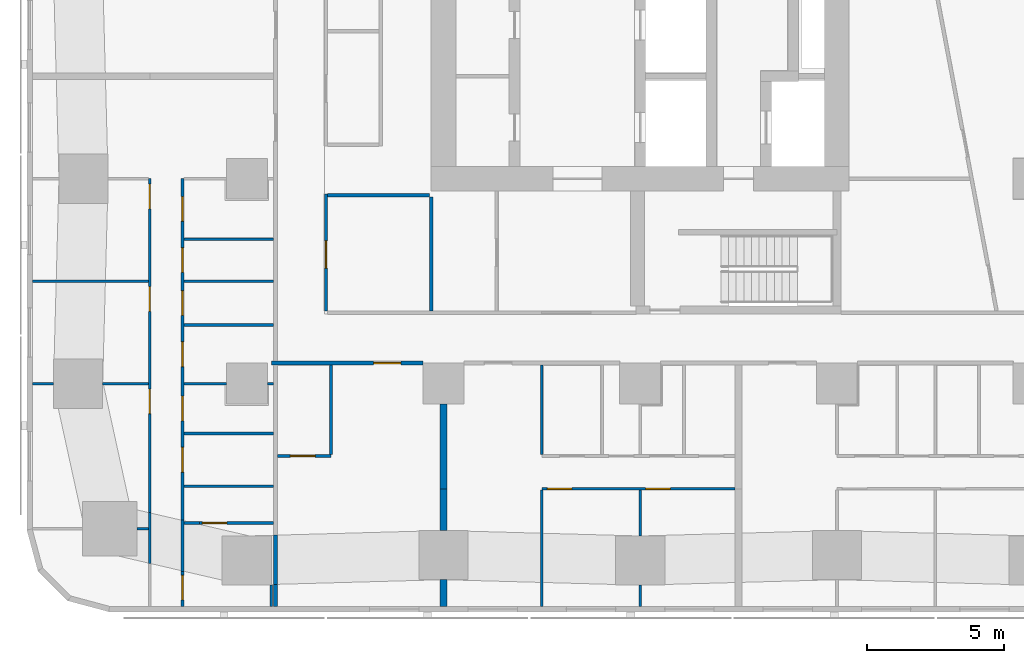
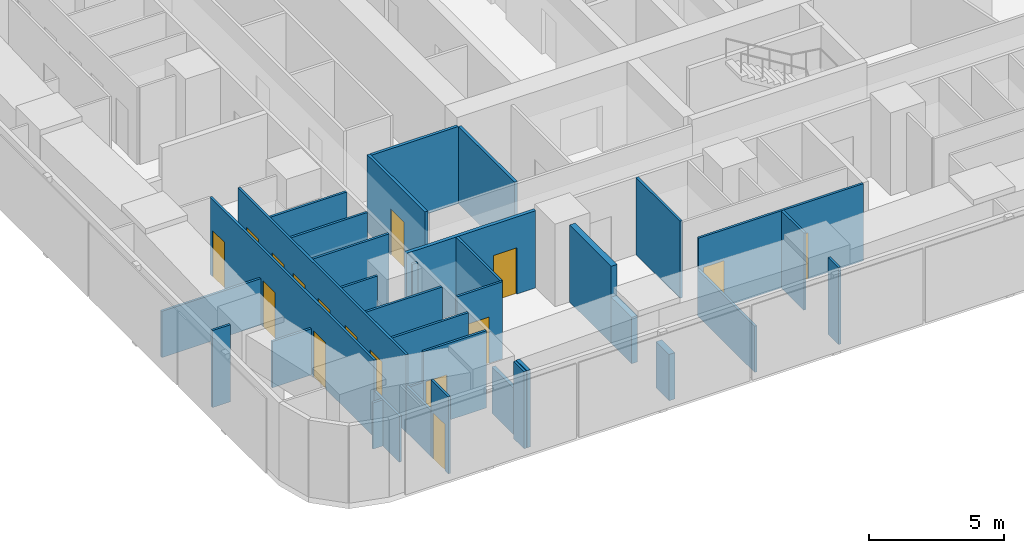
# One storey, part 2 of 15: 35 walls, 16 doors, 16 openings.
"""IFC4 building model written with IfcOpenShell, lengths in metres."""

from ifc_helpers import new_model, si_unit, direction, frame, frame_2d, origin, place, context, subcontext, project, spatial, rectangle, extrude, material, layer, layer_set, type_object, element, fill, save


model = new_model("IFC4")

# Units and contexts
model_context = context("Model", 3, precision=1e-05, world=origin(), true_north=direction((0.0, 1.0)))
body_context = subcontext(model_context, "Body", "Model", "MODEL_VIEW")
ifc_project = project(units=[si_unit("LENGTHUNIT", "METRE"), si_unit("AREAUNIT", "SQUARE_METRE"), si_unit("VOLUMEUNIT", "CUBIC_METRE"), si_unit("PLANEANGLEUNIT", "RADIAN"), si_unit("MASSUNIT", "GRAM", prefix="KILO")], contexts=[model_context])

# Site, building, storey
site_placement = place(None, origin())
site = spatial("IfcSite", under=ifc_project, at=site_placement, CompositionType="ELEMENT")
building_placement = place(site_placement, origin())
building = spatial("IfcBuilding", under=site, at=building_placement, Name="Sheger Commons Tower", CompositionType="ELEMENT")
storey_placement = place(building_placement, frame((0.0, 0.0, 150.800048828125)))
storey = spatial("IfcBuildingStorey", under=building, at=storey_placement, Name="L38", CompositionType="ELEMENT", Elevation=150.800048828125)

# Walls
ifc_material_1 = material(Name="Hollow concrete block masonry, skimmed both sides", Category="masonry")
ifc_layer_1 = layer(ifc_material_1, 0.14990234375)
ifc_layer_set_1 = layer_set([ifc_layer_1], Name="CORRIDOR WALL 150")
wall_type_1 = type_object("IfcWallType", Name="CORRIDOR WALL 150", PredefinedType="SOLIDWALL", material=ifc_layer_set_1)
wall_1_placement = place(storey_placement, frame((8.25, -0.64990234375, 0.0), z_axis=(0.0, 0.0, 1.0), x_axis=(0.0, 1.0, 0.0)))
element("IfcWall", 1, at=wall_1_placement, inside=storey, type_object=wall_type_1, Name="Corridor wall L38", PredefinedType="SOLIDWALL", context=body_context, shape_type="SweptSolid", body=[
    extrude(rectangle(XDim=0.802001953125, YDim=0.14990234375, at=frame_2d((0.40087890625, 0.0))), origin(), (0.0, 0.0, 1.0), 3.5),
])
wall_2_placement = place(storey_placement, frame((8.25, 0.152099609375, 0.0), z_axis=(0.0, 0.0, 1.0), x_axis=(0.0, 1.0, 0.0)))
element("IfcWall", 2, at=wall_2_placement, inside=storey, type_object=wall_type_1, Name="Corridor wall L38", PredefinedType="SOLIDWALL", context=body_context, shape_type="SweptSolid", body=[
    extrude(rectangle(XDim=1.804931640625, YDim=0.14990234375, at=frame_2d((0.90234375, 0.0))), origin(), (0.0, 0.0, 1.0), 2.099853515625),
])

# Wall, opening, door
wall_3_placement = place(storey_placement, frame((13.64892578125, 8.25, 0.0), z_axis=(0.0, 0.0, 1.0), x_axis=(-1.0, 0.0, 0.0)))
wall_3 = element("IfcWall", 3, at=wall_3_placement, inside=storey, type_object=wall_type_1, Name="Corridor wall L38", PredefinedType="SOLIDWALL", context=body_context, shape_type="SweptSolid", body=[
    extrude(rectangle(XDim=5.548828125, YDim=0.14990234375, at=frame_2d((2.7744140625, 0.0))), origin(), (0.0, 0.0, 1.0), 3.5),
])
opening_1_placement = place(wall_3_placement, frame((0.81005859375, 0.0, 0.0)))
opening_1 = element("IfcOpeningElement", 4, at=opening_1_placement, cuts=wall_3, Name="Opening D1", PredefinedType="OPENING", context=body_context, shape_type="SweptSolid", body=[
    extrude(rectangle(XDim=1.0, YDim=2.10009765625, at=frame_2d((0.5, 1.050048828125))), frame((0.0, 0.0849609375, 0.0), z_axis=(0.0, -1.0, 0.0), x_axis=(1.0, 0.0, 0.0)), (0.0, 0.0, 1.0), 0.169921875),
])
ifc_material_2 = material(Name="Steel door set, fire rated", Category="steel")
door_type_1 = type_object("IfcDoorType", Name="FLAT ENTRANCE DOOR 1000x2100", OperationType="NOTDEFINED", PredefinedType="DOOR", material=ifc_material_2)
door_1_placement = place(opening_1_placement, origin())
door_1 = element("IfcDoor", 5, at=door_1_placement, inside=storey, type_object=door_type_1, Name="Flat entrance door", OperationType="SINGLE_SWING_LEFT", OverallHeight=2.10009765625, OverallWidth=1.0, PredefinedType="DOOR", context=body_context, shape_type="SweptSolid", body=[
    extrude(rectangle(XDim=1.0, YDim=2.10009765625, at=frame_2d((0.5, 1.050048828125))), frame((0.0, 0.02490234375, 0.0), z_axis=(0.0, -1.0, 0.0), x_axis=(1.0, 0.0, 0.0)), (0.0, 0.0, 1.0), 0.050048828125),
])
fill(opening_1, door_1)

# Walls
ifc_material_3 = material(Name="Dense concrete block masonry, plastered both sides (separating wall between flats)", Category="masonry")
ifc_layer_2 = layer(ifc_material_3, 0.25)
ifc_layer_set_2 = layer_set([ifc_layer_2], Name="DEMISING WALL 250")
wall_type_2 = type_object("IfcWallType", Name="DEMISING WALL 250", PredefinedType="SOLIDWALL", material=ifc_layer_set_2)
wall_4_placement = place(storey_placement, frame((14.39990234375, -0.64990234375, 0.0), z_axis=(0.0, 0.0, 1.0), x_axis=(0.0, 1.0, 0.0)))
element("IfcWall", 6, at=wall_4_placement, inside=storey, type_object=wall_type_2, Name="Demising wall L38", PredefinedType="SOLIDWALL", context=body_context, shape_type="SweptSolid", body=[
    extrude(rectangle(XDim=0.973876953125, YDim=0.25, at=frame_2d((0.48681640625, 0.0))), origin(), (0.0, 0.0, 1.0), 2.099853515625),
])
wall_5_placement = place(storey_placement, frame((14.39990234375, 2.1259765625, 0.0), z_axis=(0.0, 0.0, 1.0), x_axis=(0.0, 1.0, 0.0)))
element("IfcWall", 7, at=wall_5_placement, inside=storey, type_object=wall_type_2, Name="Demising wall L38", PredefinedType="SOLIDWALL", context=body_context, shape_type="SweptSolid", body=[
    extrude(rectangle(XDim=1.52392578125, YDim=0.25, at=frame_2d((0.761962890625, 0.0))), origin(), (0.0, 0.0, 1.0), 2.099853515625),
])
wall_6_placement = place(storey_placement, frame((14.39990234375, 3.64990234375, 0.0), z_axis=(0.0, 0.0, 1.0), x_axis=(0.0, 1.0, 0.0)))
element("IfcWall", 8, at=wall_6_placement, inside=storey, type_object=wall_type_2, Name="Demising wall L38", PredefinedType="SOLIDWALL", context=body_context, shape_type="SweptSolid", body=[
    extrude(rectangle(XDim=3.09912109375, YDim=0.25, at=frame_2d((1.549560546875, 0.0))), origin(), (0.0, 0.0, 1.0), 3.5),
])
ifc_material_4 = material(Name="Gypsum board on steel studs", Category="steel")
ifc_layer_3 = layer(ifc_material_4, 0.10009765625)
ifc_layer_set_3 = layer_set([ifc_layer_3], Name="PARTITION 100")
wall_type_3 = type_object("IfcWallType", Name="PARTITION 100", PredefinedType="PARTITIONING", material=ifc_layer_set_3)
wall_7_placement = place(storey_placement, frame((8.10009765625, 0.1240234375, 0.0), z_axis=(0.0, 0.0, 1.0), x_axis=(0.0, -1.0, 0.0)))
element("IfcWall", 9, at=wall_7_placement, inside=storey, type_object=wall_type_3, Name="Partition L38", PredefinedType="PARTITIONING", context=body_context, shape_type="SweptSolid", body=[
    extrude(rectangle(XDim=0.77392578125, YDim=0.10009765625, at=frame_2d((0.386962890625, 0.0))), origin(), (0.0, 0.0, 1.0), 3.5),
])
wall_8_placement = place(storey_placement, frame((3.64990234375, 0.912109375, 0.0), z_axis=(0.0, 0.0, 1.0), x_axis=(0.0, 1.0, 0.0)))
element("IfcWall", 10, at=wall_8_placement, inside=storey, type_object=wall_type_3, Name="Partition L38", PredefinedType="PARTITIONING", context=body_context, shape_type="SweptSolid", body=[
    extrude(rectangle(XDim=1.869873046875, YDim=0.10009765625, at=frame_2d((0.93505859375, 0.0))), origin(), (0.0, 0.0, 1.0), 2.099853515625),
])

# Wall, openings, doors
wall_9_placement = place(storey_placement, frame((3.64990234375, 2.781982421875, 0.0), z_axis=(0.0, 0.0, 1.0), x_axis=(0.0, 1.0, 0.0)))
wall_9 = element("IfcWall", 11, at=wall_9_placement, inside=storey, type_object=wall_type_3, Name="Partition L38", PredefinedType="PARTITIONING", context=body_context, shape_type="SweptSolid", body=[
    extrude(rectangle(XDim=12.218017578125, YDim=0.10009765625, at=frame_2d((6.10888671875, 0.0))), origin(), (0.0, 0.0, 1.0), 3.5),
])
opening_2_placement = place(wall_9_placement, frame((11.117919921875, 0.0, 0.0)))
opening_2 = element("IfcOpeningElement", 12, at=opening_2_placement, cuts=wall_9, Name="Opening D2", PredefinedType="OPENING", context=body_context, shape_type="SweptSolid", body=[
    extrude(rectangle(XDim=0.89990234375, YDim=2.10009765625, at=frame_2d((0.449951171875, 1.050048828125))), frame((0.0, 0.06005859375, 0.0), z_axis=(0.0, -1.0, 0.0), x_axis=(1.0, 0.0, 0.0)), (0.0, 0.0, 1.0), 0.1201171875),
])
opening_3_placement = place(wall_9_placement, frame((7.367919921875, 0.0, 0.0)))
opening_3 = element("IfcOpeningElement", 13, at=opening_3_placement, cuts=wall_9, Name="Opening D2", PredefinedType="OPENING", context=body_context, shape_type="SweptSolid", body=[
    extrude(rectangle(XDim=0.89990234375, YDim=2.10009765625, at=frame_2d((0.449951171875, 1.050048828125))), frame((0.0, 0.06005859375, 0.0), z_axis=(0.0, -1.0, 0.0), x_axis=(1.0, 0.0, 0.0)), (0.0, 0.0, 1.0), 0.1201171875),
])
opening_4_placement = place(wall_9_placement, frame((3.617919921875, 0.0, 0.0)))
opening_4 = element("IfcOpeningElement", 14, at=opening_4_placement, cuts=wall_9, Name="Opening D2", PredefinedType="OPENING", context=body_context, shape_type="SweptSolid", body=[
    extrude(rectangle(XDim=0.89990234375, YDim=2.10009765625, at=frame_2d((0.449951171875, 1.050048828125))), frame((0.0, 0.06005859375, 0.0), z_axis=(0.0, -1.0, 0.0), x_axis=(1.0, 0.0, 0.0)), (0.0, 0.0, 1.0), 0.1201171875),
])
ifc_material_5 = material(Name="Timber door set", Category="wood")
door_type_2 = type_object("IfcDoorType", Name="INTERNAL DOOR 900x2100", OperationType="NOTDEFINED", PredefinedType="DOOR", material=ifc_material_5)
door_2_placement = place(opening_2_placement, origin())
door_2 = element("IfcDoor", 15, at=door_2_placement, inside=storey, type_object=door_type_2, Name="Main bedroom door", OperationType="SINGLE_SWING_RIGHT", OverallHeight=2.10009765625, OverallWidth=0.89990234375, PredefinedType="DOOR", context=body_context, shape_type="SweptSolid", body=[
    extrude(rectangle(XDim=0.89990234375, YDim=2.10009765625, at=frame_2d((0.449951171875, 1.050048828125))), frame((0.0, 0.02490234375, 0.0), z_axis=(0.0, -1.0, 0.0), x_axis=(1.0, 0.0, 0.0)), (0.0, 0.0, 1.0), 0.050048828125),
])
fill(opening_2, door_2)
door_3_placement = place(opening_3_placement, origin())
door_3 = element("IfcDoor", 16, at=door_3_placement, inside=storey, type_object=door_type_2, Name="Bedroom 2 door", OperationType="SINGLE_SWING_RIGHT", OverallHeight=2.10009765625, OverallWidth=0.89990234375, PredefinedType="DOOR", context=body_context, shape_type="SweptSolid", body=[
    extrude(rectangle(XDim=0.89990234375, YDim=2.10009765625, at=frame_2d((0.449951171875, 1.050048828125))), frame((0.0, 0.02490234375, 0.0), z_axis=(0.0, -1.0, 0.0), x_axis=(1.0, 0.0, 0.0)), (0.0, 0.0, 1.0), 0.050048828125),
])
fill(opening_3, door_3)
door_4_placement = place(opening_4_placement, origin())
door_4 = element("IfcDoor", 17, at=door_4_placement, inside=storey, type_object=door_type_2, Name="Bedroom 3 door", OperationType="SINGLE_SWING_RIGHT", OverallHeight=2.10009765625, OverallWidth=0.89990234375, PredefinedType="DOOR", context=body_context, shape_type="SweptSolid", body=[
    extrude(rectangle(XDim=0.89990234375, YDim=2.10009765625, at=frame_2d((0.449951171875, 1.050048828125))), frame((0.0, 0.02490234375, 0.0), z_axis=(0.0, -1.0, 0.0), x_axis=(1.0, 0.0, 0.0)), (0.0, 0.0, 1.0), 0.050048828125),
])
fill(opening_4, door_4)

# Wall, opening, door
wall_10_placement = place(storey_placement, frame((4.85009765625, -0.64990234375, 0.0), z_axis=(0.0, 0.0, 1.0), x_axis=(0.0, 1.0, 0.0)))
wall_10 = element("IfcWall", 18, at=wall_10_placement, inside=storey, type_object=wall_type_3, Name="Partition L38", PredefinedType="PARTITIONING", context=body_context, shape_type="SweptSolid", body=[
    extrude(rectangle(XDim=1.283935546875, YDim=0.10009765625, at=frame_2d((0.64208984375, 0.0))), origin(), (0.0, 0.0, 1.0), 3.5),
])
opening_5_placement = place(wall_10_placement, frame((0.23388671875, 0.0, 0.0)))
opening_5 = element("IfcOpeningElement", 19, at=opening_5_placement, cuts=wall_10, Name="Opening D2", PredefinedType="OPENING", context=body_context, shape_type="SweptSolid", body=[
    extrude(rectangle(XDim=0.89990234375, YDim=2.10009765625, at=frame_2d((0.449951171875, 1.050048828125))), frame((0.0, 0.06005859375, 0.0), z_axis=(0.0, -1.0, 0.0), x_axis=(1.0, 0.0, 0.0)), (0.0, 0.0, 1.0), 0.1201171875),
])
door_5_placement = place(opening_5_placement, origin())
door_5 = element("IfcDoor", 20, at=door_5_placement, inside=storey, type_object=door_type_2, Name="Store and laundry door", OperationType="SINGLE_SWING_LEFT", OverallHeight=2.10009765625, OverallWidth=0.89990234375, PredefinedType="DOOR", context=body_context, shape_type="SweptSolid", body=[
    extrude(rectangle(XDim=0.89990234375, YDim=2.10009765625, at=frame_2d((0.449951171875, 1.050048828125))), frame((0.0, 0.02490234375, 0.0), z_axis=(0.0, -1.0, 0.0), x_axis=(1.0, 0.0, 0.0)), (0.0, 0.0, 1.0), 0.050048828125),
])
fill(opening_5, door_5)

# Wall
wall_11_placement = place(storey_placement, frame((4.85009765625, 0.634033203125, 0.0), z_axis=(0.0, 0.0, 1.0), x_axis=(0.0, 1.0, 0.0)))
element("IfcWall", 21, at=wall_11_placement, inside=storey, type_object=wall_type_3, Name="Partition L38", PredefinedType="PARTITIONING", context=body_context, shape_type="SweptSolid", body=[
    extrude(rectangle(XDim=1.870849609375, YDim=0.10009765625, at=frame_2d((0.935546875, 0.0))), origin(), (0.0, 0.0, 1.0), 2.099853515625),
])

# Wall, openings, doors
wall_12_placement = place(storey_placement, frame((4.85009765625, 2.5048828125, 0.0), z_axis=(0.0, 0.0, 1.0), x_axis=(0.0, 1.0, 0.0)))
wall_12 = element("IfcWall", 22, at=wall_12_placement, inside=storey, type_object=wall_type_3, Name="Partition L38", PredefinedType="PARTITIONING", context=body_context, shape_type="SweptSolid", body=[
    extrude(rectangle(XDim=12.4951171875, YDim=0.10009765625, at=frame_2d((6.24755859375, 0.0))), origin(), (0.0, 0.0, 1.0), 3.5),
])
opening_6_placement = place(wall_12_placement, frame((10.93994140625, 0.0, 0.0)))
opening_6 = element("IfcOpeningElement", 23, at=opening_6_placement, cuts=wall_12, Name="Opening D2", PredefinedType="OPENING", context=body_context, shape_type="SweptSolid", body=[
    extrude(rectangle(XDim=0.89990234375, YDim=2.10009765625, at=frame_2d((0.449951171875, 1.050048828125))), frame((0.0, 0.06005859375, 0.0), z_axis=(0.0, -1.0, 0.0), x_axis=(1.0, 0.0, 0.0)), (0.0, 0.0, 1.0), 0.1201171875),
])
opening_7_placement = place(wall_12_placement, frame((7.4951171875, 0.0, 0.0)))
opening_7 = element("IfcOpeningElement", 24, at=opening_7_placement, cuts=wall_12, Name="Opening D2", PredefinedType="OPENING", context=body_context, shape_type="SweptSolid", body=[
    extrude(rectangle(XDim=0.89990234375, YDim=2.10009765625, at=frame_2d((0.449951171875, 1.050048828125))), frame((0.0, 0.06005859375, 0.0), z_axis=(0.0, -1.0, 0.0), x_axis=(1.0, 0.0, 0.0)), (0.0, 0.0, 1.0), 0.1201171875),
])
opening_8_placement = place(wall_12_placement, frame((3.635009765625, 0.0, 0.0)))
opening_8 = element("IfcOpeningElement", 25, at=opening_8_placement, cuts=wall_12, Name="Opening D2", PredefinedType="OPENING", context=body_context, shape_type="SweptSolid", body=[
    extrude(rectangle(XDim=0.89990234375, YDim=2.10009765625, at=frame_2d((0.449951171875, 1.050048828125))), frame((0.0, 0.06005859375, 0.0), z_axis=(0.0, -1.0, 0.0), x_axis=(1.0, 0.0, 0.0)), (0.0, 0.0, 1.0), 0.1201171875),
])
opening_9_placement = place(wall_12_placement, frame((9.06494140625, 0.0, 0.0)))
opening_9 = element("IfcOpeningElement", 26, at=opening_9_placement, cuts=wall_12, Name="Opening D2", PredefinedType="OPENING", context=body_context, shape_type="SweptSolid", body=[
    extrude(rectangle(XDim=0.89990234375, YDim=2.10009765625, at=frame_2d((0.449951171875, 1.050048828125))), frame((0.0, 0.06005859375, 0.0), z_axis=(0.0, -1.0, 0.0), x_axis=(1.0, 0.0, 0.0)), (0.0, 0.0, 1.0), 0.1201171875),
])
opening_10_placement = place(wall_12_placement, frame((5.6201171875, 0.0, 0.0)))
opening_10 = element("IfcOpeningElement", 27, at=opening_10_placement, cuts=wall_12, Name="Opening D2", PredefinedType="OPENING", context=body_context, shape_type="SweptSolid", body=[
    extrude(rectangle(XDim=0.89990234375, YDim=2.10009765625, at=frame_2d((0.449951171875, 1.050048828125))), frame((0.0, 0.06005859375, 0.0), z_axis=(0.0, -1.0, 0.0), x_axis=(1.0, 0.0, 0.0)), (0.0, 0.0, 1.0), 0.1201171875),
])
opening_11_placement = place(wall_12_placement, frame((1.760009765625, 0.0, 0.0)))
opening_11 = element("IfcOpeningElement", 28, at=opening_11_placement, cuts=wall_12, Name="Opening D2", PredefinedType="OPENING", context=body_context, shape_type="SweptSolid", body=[
    extrude(rectangle(XDim=0.89990234375, YDim=2.10009765625, at=frame_2d((0.449951171875, 1.050048828125))), frame((0.0, 0.06005859375, 0.0), z_axis=(0.0, -1.0, 0.0), x_axis=(1.0, 0.0, 0.0)), (0.0, 0.0, 1.0), 0.1201171875),
])
door_6_placement = place(opening_6_placement, origin())
door_6 = element("IfcDoor", 29, at=door_6_placement, inside=storey, type_object=door_type_2, Name="Bathroom door", OperationType="SINGLE_SWING_LEFT", OverallHeight=2.10009765625, OverallWidth=0.89990234375, PredefinedType="DOOR", context=body_context, shape_type="SweptSolid", body=[
    extrude(rectangle(XDim=0.89990234375, YDim=2.10009765625, at=frame_2d((0.449951171875, 1.050048828125))), frame((0.0, 0.02490234375, 0.0), z_axis=(0.0, -1.0, 0.0), x_axis=(1.0, 0.0, 0.0)), (0.0, 0.0, 1.0), 0.050048828125),
])
fill(opening_6, door_6)
door_7_placement = place(opening_7_placement, origin())
door_7 = element("IfcDoor", 30, at=door_7_placement, inside=storey, type_object=door_type_2, Name="Shower room door", OperationType="SINGLE_SWING_LEFT", OverallHeight=2.10009765625, OverallWidth=0.89990234375, PredefinedType="DOOR", context=body_context, shape_type="SweptSolid", body=[
    extrude(rectangle(XDim=0.89990234375, YDim=2.10009765625, at=frame_2d((0.449951171875, 1.050048828125))), frame((0.0, 0.02490234375, 0.0), z_axis=(0.0, -1.0, 0.0), x_axis=(1.0, 0.0, 0.0)), (0.0, 0.0, 1.0), 0.050048828125),
])
fill(opening_7, door_7)
door_8_placement = place(opening_8_placement, origin())
door_8 = element("IfcDoor", 31, at=door_8_placement, inside=storey, type_object=door_type_2, Name="Laundry room door", OperationType="SINGLE_SWING_LEFT", OverallHeight=2.10009765625, OverallWidth=0.89990234375, PredefinedType="DOOR", context=body_context, shape_type="SweptSolid", body=[
    extrude(rectangle(XDim=0.89990234375, YDim=2.10009765625, at=frame_2d((0.449951171875, 1.050048828125))), frame((0.0, 0.02490234375, 0.0), z_axis=(0.0, -1.0, 0.0), x_axis=(1.0, 0.0, 0.0)), (0.0, 0.0, 1.0), 0.050048828125),
])
fill(opening_8, door_8)
door_9_placement = place(opening_9_placement, origin())
door_9 = element("IfcDoor", 32, at=door_9_placement, inside=storey, type_object=door_type_2, Name="Store door", OperationType="SINGLE_SWING_RIGHT", OverallHeight=2.10009765625, OverallWidth=0.89990234375, PredefinedType="DOOR", context=body_context, shape_type="SweptSolid", body=[
    extrude(rectangle(XDim=0.89990234375, YDim=2.10009765625, at=frame_2d((0.449951171875, 1.050048828125))), frame((0.0, 0.02490234375, 0.0), z_axis=(0.0, -1.0, 0.0), x_axis=(1.0, 0.0, 0.0)), (0.0, 0.0, 1.0), 0.050048828125),
])
fill(opening_9, door_9)
door_10_placement = place(opening_10_placement, origin())
door_10 = element("IfcDoor", 33, at=door_10_placement, inside=storey, type_object=door_type_2, Name="Store door", OperationType="SINGLE_SWING_RIGHT", OverallHeight=2.10009765625, OverallWidth=0.89990234375, PredefinedType="DOOR", context=body_context, shape_type="SweptSolid", body=[
    extrude(rectangle(XDim=0.89990234375, YDim=2.10009765625, at=frame_2d((0.449951171875, 1.050048828125))), frame((0.0, 0.02490234375, 0.0), z_axis=(0.0, -1.0, 0.0), x_axis=(1.0, 0.0, 0.0)), (0.0, 0.0, 1.0), 0.050048828125),
])
fill(opening_10, door_10)
door_11_placement = place(opening_11_placement, origin())
door_11 = element("IfcDoor", 34, at=door_11_placement, inside=storey, type_object=door_type_2, Name="Store door", OperationType="SINGLE_SWING_RIGHT", OverallHeight=2.10009765625, OverallWidth=0.89990234375, PredefinedType="DOOR", context=body_context, shape_type="SweptSolid", body=[
    extrude(rectangle(XDim=0.89990234375, YDim=2.10009765625, at=frame_2d((0.449951171875, 1.050048828125))), frame((0.0, 0.02490234375, 0.0), z_axis=(0.0, -1.0, 0.0), x_axis=(1.0, 0.0, 0.0)), (0.0, 0.0, 1.0), 0.050048828125),
])
fill(opening_11, door_11)

# Walls
wall_13_placement = place(storey_placement, frame((3.18701171875, 2.18603515625, 0.0), z_axis=(0.0, 0.0, 1.0), x_axis=(1.0, 0.0, 0.0)))
element("IfcWall", 35, at=wall_13_placement, inside=storey, type_object=wall_type_3, Name="Partition L38", PredefinedType="PARTITIONING", context=body_context, shape_type="SweptSolid", body=[
    extrude(rectangle(XDim=0.4130859375, YDim=0.10009765625, at=frame_2d((0.20654296875, 0.0))), origin(), (0.0, 0.0, 1.0), 2.099853515625),
])
wall_14_placement = place(storey_placement, frame((-0.64990234375, 7.5, 0.0), z_axis=(0.0, 0.0, 1.0), x_axis=(1.0, 0.0, 0.0)))
element("IfcWall", 36, at=wall_14_placement, inside=storey, type_object=wall_type_3, Name="Partition L38", PredefinedType="PARTITIONING", context=body_context, shape_type="SweptSolid", body=[
    extrude(rectangle(XDim=0.77392578125, YDim=0.10009765625, at=frame_2d((0.386962890625, 0.0))), origin(), (0.0, 0.0, 1.0), 3.5),
])
wall_15_placement = place(storey_placement, frame((1.926025390625, 7.5, 0.0), z_axis=(0.0, 0.0, 1.0), x_axis=(1.0, 0.0, 0.0)))
element("IfcWall", 37, at=wall_15_placement, inside=storey, type_object=wall_type_3, Name="Partition L38", PredefinedType="PARTITIONING", context=body_context, shape_type="SweptSolid", body=[
    extrude(rectangle(XDim=1.674072265625, YDim=0.10009765625, at=frame_2d((0.8369140625, 0.0))), origin(), (0.0, 0.0, 1.0), 2.099853515625),
])
wall_16_placement = place(storey_placement, frame((-0.64990234375, 11.25, 0.0), z_axis=(0.0, 0.0, 1.0), x_axis=(1.0, 0.0, 0.0)))
element("IfcWall", 38, at=wall_16_placement, inside=storey, type_object=wall_type_3, Name="Partition L38", PredefinedType="PARTITIONING", context=body_context, shape_type="SweptSolid", body=[
    extrude(rectangle(XDim=4.25, YDim=0.10009765625, at=frame_2d((2.125, 0.0))), origin(), (0.0, 0.0, 1.0), 2.099853515625),
])
wall_17_placement = place(storey_placement, frame((4.89990234375, 3.75, 0.0), z_axis=(0.0, 0.0, 1.0), x_axis=(1.0, 0.0, 0.0)))
element("IfcWall", 39, at=wall_17_placement, inside=storey, type_object=wall_type_3, Name="Partition L38", PredefinedType="PARTITIONING", context=body_context, shape_type="SweptSolid", body=[
    extrude(rectangle(XDim=3.275146484375, YDim=0.10009765625, at=frame_2d((1.6376953125, 0.0))), origin(), (0.0, 0.0, 1.0), 3.5),
])
wall_18_placement = place(storey_placement, frame((4.89990234375, 7.5, 0.0), z_axis=(0.0, 0.0, 1.0), x_axis=(1.0, 0.0, 0.0)))
element("IfcWall", 40, at=wall_18_placement, inside=storey, type_object=wall_type_3, Name="Partition L38", PredefinedType="PARTITIONING", context=body_context, shape_type="SweptSolid", body=[
    extrude(rectangle(XDim=1.549072265625, YDim=0.10009765625, at=frame_2d((0.7744140625, 0.0))), origin(), (0.0, 0.0, 1.0), 3.5),
])
wall_19_placement = place(storey_placement, frame((7.950927734375, 7.5, 0.0), z_axis=(0.0, 0.0, 1.0), x_axis=(1.0, 0.0, 0.0)))
element("IfcWall", 41, at=wall_19_placement, inside=storey, type_object=wall_type_3, Name="Partition L38", PredefinedType="PARTITIONING", context=body_context, shape_type="SweptSolid", body=[
    extrude(rectangle(XDim=0.22412109375, YDim=0.10009765625, at=frame_2d((0.112060546875, 0.0))), origin(), (0.0, 0.0, 1.0), 3.5),
])
for number, where, z_axis, x_axis, name in (
    (42, (4.89990234375, 11.25, 0.0), (0.0, 0.0, 1.0), (1.0, 0.0, 0.0), "Partition L38"),
    (43, (4.89990234375, 12.7900390625, 0.0), (0.0, 0.0, 1.0), (1.0, 0.0, 0.0), "Partition L38"),
    (44, (4.89990234375, 9.64990234375, 0.0), (0.0, 0.0, 1.0), (1.0, 0.0, 0.0), "Partition L38"),
    (45, (4.89990234375, 5.679931640625, 0.0), (0.0, 0.0, 1.0), (1.0, 0.0, 0.0), "Partition L38"),
):
    element("IfcWall", number, at=place(storey_placement, frame(where, z_axis=z_axis, x_axis=x_axis)), inside=storey, type_object=wall_type_3, Name=name, PredefinedType="PARTITIONING", context=body_context, shape_type="SweptSolid", body=[
        extrude(rectangle(XDim=3.275146484375, YDim=0.10009765625, at=frame_2d((1.6376953125, 0.0))), origin(), (0.0, 0.0, 1.0), 3.5),
    ])

# Wall, opening, door
wall_20_placement = place(storey_placement, frame((10.279052734375, 4.85009765625, 0.0), z_axis=(0.0, 0.0, 1.0), x_axis=(-1.0, 0.0, 0.0)))
wall_20 = element("IfcWall", 46, at=wall_20_placement, inside=storey, type_object=wall_type_3, Name="Partition L38", PredefinedType="PARTITIONING", context=body_context, shape_type="SweptSolid", body=[
    extrude(rectangle(XDim=1.9541015625, YDim=0.10009765625, at=frame_2d((0.97705078125, 0.0))), origin(), (0.0, 0.0, 1.0), 3.5),
])
opening_12_placement = place(wall_20_placement, frame((0.5791015625, 0.0, 0.0)))
opening_12 = element("IfcOpeningElement", 47, at=opening_12_placement, cuts=wall_20, Name="Opening D2", PredefinedType="OPENING", context=body_context, shape_type="SweptSolid", body=[
    extrude(rectangle(XDim=0.89990234375, YDim=2.10009765625, at=frame_2d((0.449951171875, 1.050048828125))), frame((0.0, 0.06005859375, 0.0), z_axis=(0.0, -1.0, 0.0), x_axis=(1.0, 0.0, 0.0)), (0.0, 0.0, 1.0), 0.1201171875),
])
door_12_placement = place(opening_12_placement, origin())
door_12 = element("IfcDoor", 48, at=door_12_placement, inside=storey, type_object=door_type_2, Name="Shower room door", OperationType="SINGLE_SWING_LEFT", OverallHeight=2.10009765625, OverallWidth=0.89990234375, PredefinedType="DOOR", context=body_context, shape_type="SweptSolid", body=[
    extrude(rectangle(XDim=0.89990234375, YDim=2.10009765625, at=frame_2d((0.449951171875, 1.050048828125))), frame((0.0, 0.02490234375, 0.0), z_axis=(0.0, -1.0, 0.0), x_axis=(1.0, 0.0, 0.0)), (0.0, 0.0, 1.0), 0.050048828125),
])
fill(opening_12, door_12)

# Wall
wall_21_placement = place(storey_placement, frame((10.279052734375, 4.89990234375, 0.0), z_axis=(0.0, 0.0, 1.0), x_axis=(0.0, 1.0, 0.0)))
element("IfcWall", 49, at=wall_21_placement, inside=storey, type_object=wall_type_3, Name="Partition L38", PredefinedType="PARTITIONING", context=body_context, shape_type="SweptSolid", body=[
    extrude(rectangle(XDim=3.275146484375, YDim=0.10009765625, at=frame_2d((1.6376953125, 0.0))), origin(), (0.0, 0.0, 1.0), 3.5),
])

# Wall, openings, doors
wall_22_placement = place(storey_placement, frame((25.074951171875, 3.64990234375, 0.0), z_axis=(0.0, 0.0, 1.0), x_axis=(-1.0, 0.0, 0.0)))
wall_22 = element("IfcWall", 50, at=wall_22_placement, inside=storey, type_object=wall_type_3, Name="Partition L38", PredefinedType="PARTITIONING", context=body_context, shape_type="SweptSolid", body=[
    extrude(rectangle(XDim=7.074951171875, YDim=0.10009765625, at=frame_2d((3.53759765625, 0.0))), origin(), (0.0, 0.0, 1.0), 3.5),
])
opening_13_placement = place(wall_22_placement, frame((5.97509765625, 0.0, 0.0)))
opening_13 = element("IfcOpeningElement", 51, at=opening_13_placement, cuts=wall_22, Name="Opening D2", PredefinedType="OPENING", context=body_context, shape_type="SweptSolid", body=[
    extrude(rectangle(XDim=0.89990234375, YDim=2.10009765625, at=frame_2d((0.449951171875, 1.050048828125))), frame((0.0, 0.06005859375, 0.0), z_axis=(0.0, -1.0, 0.0), x_axis=(1.0, 0.0, 0.0)), (0.0, 0.0, 1.0), 0.1201171875),
])
opening_14_placement = place(wall_22_placement, frame((2.375, 0.0, 0.0)))
opening_14 = element("IfcOpeningElement", 52, at=opening_14_placement, cuts=wall_22, Name="Opening D2", PredefinedType="OPENING", context=body_context, shape_type="SweptSolid", body=[
    extrude(rectangle(XDim=0.89990234375, YDim=2.10009765625, at=frame_2d((0.449951171875, 1.050048828125))), frame((0.0, 0.06005859375, 0.0), z_axis=(0.0, -1.0, 0.0), x_axis=(1.0, 0.0, 0.0)), (0.0, 0.0, 1.0), 0.1201171875),
])
door_13_placement = place(opening_13_placement, origin())
door_13 = element("IfcDoor", 53, at=door_13_placement, inside=storey, type_object=door_type_2, Name="Main bedroom door", OperationType="SINGLE_SWING_RIGHT", OverallHeight=2.10009765625, OverallWidth=0.89990234375, PredefinedType="DOOR", context=body_context, shape_type="SweptSolid", body=[
    extrude(rectangle(XDim=0.89990234375, YDim=2.10009765625, at=frame_2d((0.449951171875, 1.050048828125))), frame((0.0, 0.02490234375, 0.0), z_axis=(0.0, -1.0, 0.0), x_axis=(1.0, 0.0, 0.0)), (0.0, 0.0, 1.0), 0.050048828125),
])
fill(opening_13, door_13)
door_14_placement = place(opening_14_placement, origin())
door_14 = element("IfcDoor", 54, at=door_14_placement, inside=storey, type_object=door_type_2, Name="Bedroom 2 door", OperationType="SINGLE_SWING_RIGHT", OverallHeight=2.10009765625, OverallWidth=0.89990234375, PredefinedType="DOOR", context=body_context, shape_type="SweptSolid", body=[
    extrude(rectangle(XDim=0.89990234375, YDim=2.10009765625, at=frame_2d((0.449951171875, 1.050048828125))), frame((0.0, 0.02490234375, 0.0), z_axis=(0.0, -1.0, 0.0), x_axis=(1.0, 0.0, 0.0)), (0.0, 0.0, 1.0), 0.050048828125),
])
fill(opening_14, door_14)

# Walls
wall_23_placement = place(storey_placement, frame((18.0, -0.64990234375, 0.0), z_axis=(0.0, 0.0, 1.0), x_axis=(0.0, 1.0, 0.0)))
element("IfcWall", 55, at=wall_23_placement, inside=storey, type_object=wall_type_3, Name="Partition L38", PredefinedType="PARTITIONING", context=body_context, shape_type="SweptSolid", body=[
    extrude(rectangle(XDim=4.25, YDim=0.10009765625, at=frame_2d((2.125, 0.0))), origin(), (0.0, 0.0, 1.0), 2.099853515625),
])
wall_24_placement = place(storey_placement, frame((21.60009765625, -0.64990234375, 0.0), z_axis=(0.0, 0.0, 1.0), x_axis=(0.0, 1.0, 0.0)))
element("IfcWall", 56, at=wall_24_placement, inside=storey, type_object=wall_type_3, Name="Partition L38", PredefinedType="PARTITIONING", context=body_context, shape_type="SweptSolid", body=[
    extrude(rectangle(XDim=0.77392578125, YDim=0.10009765625, at=frame_2d((0.386962890625, 0.0))), origin(), (0.0, 0.0, 1.0), 3.5),
])
wall_25_placement = place(storey_placement, frame((21.60009765625, 1.926025390625, 0.0), z_axis=(0.0, 0.0, 1.0), x_axis=(0.0, 1.0, 0.0)))
element("IfcWall", 57, at=wall_25_placement, inside=storey, type_object=wall_type_3, Name="Partition L38", PredefinedType="PARTITIONING", context=body_context, shape_type="SweptSolid", body=[
    extrude(rectangle(XDim=1.674072265625, YDim=0.10009765625, at=frame_2d((0.8369140625, 0.0))), origin(), (0.0, 0.0, 1.0), 3.5),
])
wall_26_placement = place(storey_placement, frame((18.0, 4.89990234375, 0.0), z_axis=(0.0, 0.0, 1.0), x_axis=(0.0, 1.0, 0.0)))
element("IfcWall", 58, at=wall_26_placement, inside=storey, type_object=wall_type_3, Name="Partition L38", PredefinedType="PARTITIONING", context=body_context, shape_type="SweptSolid", body=[
    extrude(rectangle(XDim=3.275146484375, YDim=0.10009765625, at=frame_2d((1.6376953125, 0.0))), origin(), (0.0, 0.0, 1.0), 3.5),
])

# Wall, opening, door
wall_27_placement = place(storey_placement, frame((5.467041015625, 2.39990234375, 0.0), z_axis=(0.0, 0.0, 1.0), x_axis=(1.0, 0.0, 0.0)))
wall_27 = element("IfcWall", 59, at=wall_27_placement, inside=storey, type_object=wall_type_3, Name="Partition L38", PredefinedType="PARTITIONING", context=body_context, shape_type="SweptSolid", body=[
    extrude(rectangle(XDim=2.7080078125, YDim=0.10009765625, at=frame_2d((1.35400390625, 0.0))), origin(), (0.0, 0.0, 1.0), 3.5),
])
opening_15_placement = place(wall_27_placement, frame((0.10791015625, 0.0, 0.0)))
opening_15 = element("IfcOpeningElement", 60, at=opening_15_placement, cuts=wall_27, Name="Opening D2", PredefinedType="OPENING", context=body_context, shape_type="SweptSolid", body=[
    extrude(rectangle(XDim=0.89990234375, YDim=2.10009765625, at=frame_2d((0.449951171875, 1.050048828125))), frame((0.0, 0.06005859375, 0.0), z_axis=(0.0, -1.0, 0.0), x_axis=(1.0, 0.0, 0.0)), (0.0, 0.0, 1.0), 0.1201171875),
])
door_15_placement = place(opening_15_placement, origin())
door_15 = element("IfcDoor", 61, at=door_15_placement, inside=storey, type_object=door_type_2, Name="Store door", OperationType="SINGLE_SWING_LEFT", OverallHeight=2.10009765625, OverallWidth=0.89990234375, PredefinedType="DOOR", context=body_context, shape_type="SweptSolid", body=[
    extrude(rectangle(XDim=0.89990234375, YDim=2.10009765625, at=frame_2d((0.449951171875, 1.050048828125))), frame((0.0, 0.02490234375, 0.0), z_axis=(0.0, -1.0, 0.0), x_axis=(1.0, 0.0, 0.0)), (0.0, 0.0, 1.0), 0.050048828125),
])
fill(opening_15, door_15)

# Wall
wall_28_placement = place(storey_placement, frame((5.467041015625, 2.39990234375, 0.0), z_axis=(0.0, 0.0, 1.0), x_axis=(-1.0, 0.0, 0.0)))
element("IfcWall", 62, at=wall_28_placement, inside=storey, type_object=wall_type_3, Name="Partition L38", PredefinedType="PARTITIONING", context=body_context, shape_type="SweptSolid", body=[
    extrude(rectangle(XDim=0.567138671875, YDim=0.10009765625, at=frame_2d((0.28369140625, 0.0))), origin(), (0.0, 0.0, 1.0), 2.099853515625),
])

# Wall, opening, door
ifc_material_6 = material(Name="Gypsum board on steel studs, two layers each side, fire rated", Category="steel")
ifc_layer_4 = layer(ifc_material_6, 0.125)
ifc_layer_set_4 = layer_set([ifc_layer_4], Name="SERVICE WALL 125")
wall_type_4 = type_object("IfcWallType", Name="SERVICE WALL 125", PredefinedType="PARTITIONING", material=ifc_layer_set_4)
wall_29_placement = place(storey_placement, frame((10.10009765625, 10.162109375, 0.0), z_axis=(0.0, 0.0, 1.0), x_axis=(0.0, 1.0, 0.0)))
wall_29 = element("IfcWall", 63, at=wall_29_placement, inside=storey, type_object=wall_type_4, Name="Service room wall L38", PredefinedType="PARTITIONING", context=body_context, shape_type="SweptSolid", body=[
    extrude(rectangle(XDim=4.287841796875, YDim=0.125, at=frame_2d((2.14404296875, 0.0))), origin(), (0.0, 0.0, 1.0), 3.5),
])
opening_16_placement = place(wall_29_placement, frame((1.56298828125, 0.0, 0.0)))
opening_16 = element("IfcOpeningElement", 64, at=opening_16_placement, cuts=wall_29, Name="Opening D4", PredefinedType="OPENING", context=body_context, shape_type="SweptSolid", body=[
    extrude(rectangle(XDim=1.0, YDim=2.10009765625, at=frame_2d((0.5, 1.050048828125))), frame((0.0, 0.072509765625, 0.0), z_axis=(0.0, -1.0, 0.0), x_axis=(1.0, 0.0, 0.0)), (0.0, 0.0, 1.0), 0.14501953125),
])
ifc_material_7 = material(Name="Steel door set, fire rated", Category="steel")
door_type_3 = type_object("IfcDoorType", Name="SERVICE DOOR 1000x2100", OperationType="NOTDEFINED", PredefinedType="DOOR", material=ifc_material_7)
door_16_placement = place(opening_16_placement, origin())
door_16 = element("IfcDoor", 65, at=door_16_placement, inside=storey, type_object=door_type_3, Name="Refuse chute room door", OperationType="SINGLE_SWING_RIGHT", OverallHeight=2.10009765625, OverallWidth=1.0, PredefinedType="DOOR", context=body_context, shape_type="SweptSolid", body=[
    extrude(rectangle(XDim=1.0, YDim=2.10009765625, at=frame_2d((0.5, 1.050048828125))), frame((0.0, 0.02490234375, 0.0), z_axis=(0.0, -1.0, 0.0), x_axis=(1.0, 0.0, 0.0)), (0.0, 0.0, 1.0), 0.050048828125),
])
fill(opening_16, door_16)

# Walls
wall_30_placement = place(storey_placement, frame((10.162109375, 14.39990234375, 0.0), z_axis=(0.0, 0.0, 1.0), x_axis=(1.0, 0.0, 0.0)))
element("IfcWall", 66, at=wall_30_placement, inside=storey, type_object=wall_type_4, Name="Service room wall L38", PredefinedType="PARTITIONING", context=body_context, shape_type="SweptSolid", body=[
    extrude(rectangle(XDim=3.725830078125, YDim=0.125, at=frame_2d((1.86279296875, 0.0))), origin(), (0.0, 0.0, 1.0), 3.5),
])
wall_31_placement = place(storey_placement, frame((13.949951171875, 10.1630859375, 0.0), z_axis=(0.0, 0.0, 1.0), x_axis=(0.0, 1.0, 0.0)))
element("IfcWall", 67, at=wall_31_placement, inside=storey, type_object=wall_type_4, Name="Service room wall L38", PredefinedType="PARTITIONING", context=body_context, shape_type="SweptSolid", body=[
    extrude(rectangle(XDim=4.1748046875, YDim=0.125, at=frame_2d((2.08740234375, 0.0))), origin(), (0.0, 0.0, 1.0), 3.5),
])

save(model, "model.ifc")
